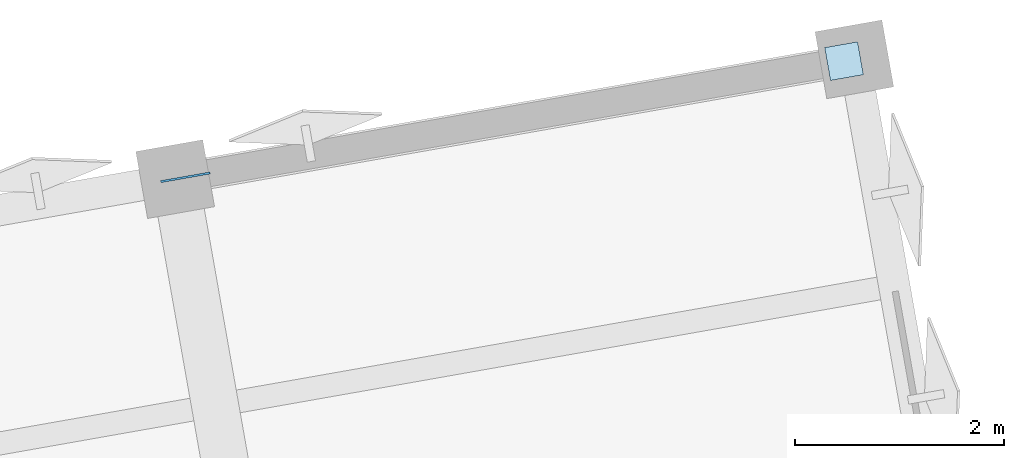
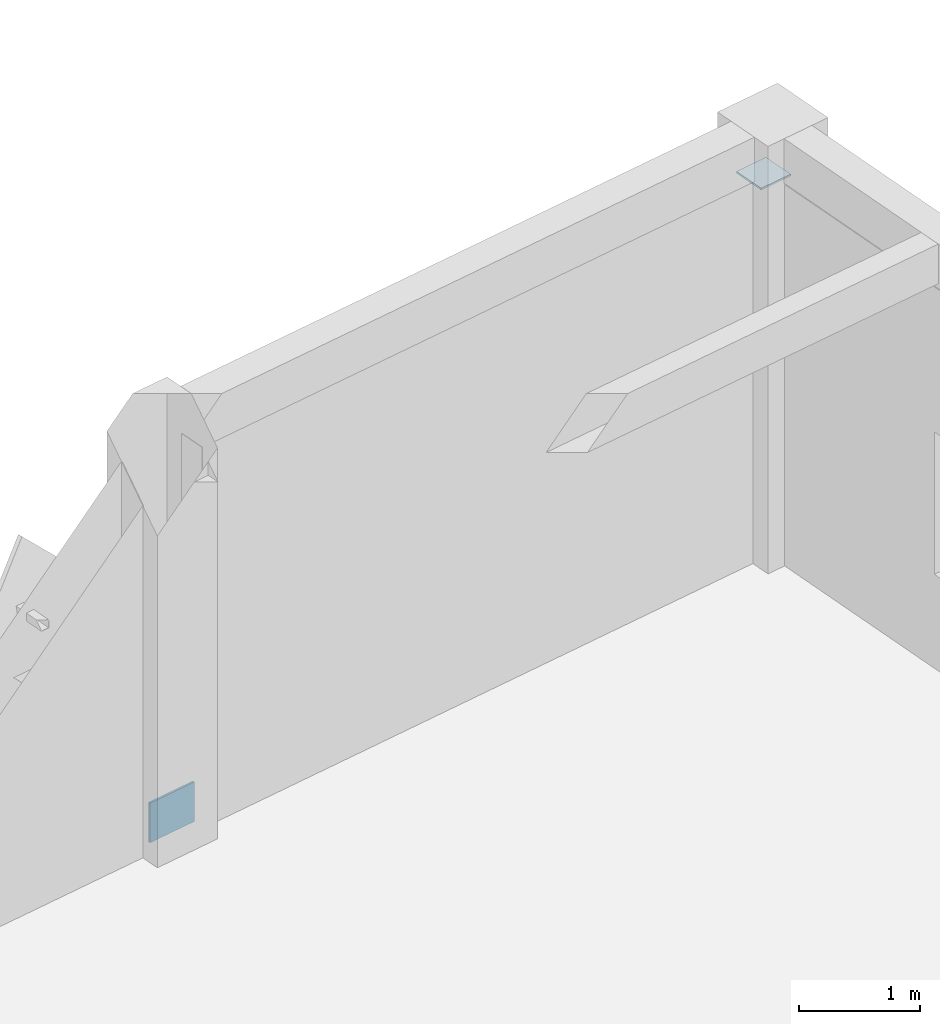
# One storey, part 24 of 39: 2 plates.
"""IFC4 building model written with IfcOpenShell, lengths in metres."""

from ifc_helpers import new_model, si_unit, direction, frame, origin, origin_2d, place, context, subcontext, project, spatial, rectangle, extrude, material, layer, layer_set, type_object, element, save


model = new_model("IFC4")

# Units and contexts
model_context = context("Model", 3, precision=1e-05, world=origin(), true_north=direction((0.0, 1.0)))
body_context = subcontext(model_context, "Body", "Model", "MODEL_VIEW")
ifc_project = project(units=[si_unit("LENGTHUNIT", "METRE"), si_unit("AREAUNIT", "SQUARE_METRE"), si_unit("VOLUMEUNIT", "CUBIC_METRE"), si_unit("PLANEANGLEUNIT", "RADIAN"), si_unit("MASSUNIT", "GRAM", prefix="KILO")], contexts=[model_context])

# Site, building, storey
site_placement = place(None, origin())
site = spatial("IfcSite", under=ifc_project, at=site_placement, CompositionType="ELEMENT")
building_placement = place(site_placement, origin())
building = spatial("IfcBuilding", under=site, at=building_placement, Name="Kharisveld Research Institute", CompositionType="ELEMENT")
storey_placement = place(building_placement, frame((0.0, 0.0, 18.60009765625)))
storey = spatial("IfcBuildingStorey", under=building, at=storey_placement, Name="L04", CompositionType="ELEMENT", Elevation=18.60009765625)

# Plates
ifc_material_1 = material(Name="Steel S355JR", Category="steel")
ifc_layer_1 = layer(ifc_material_1, 0.01806640625)
ifc_layer_set_1 = layer_set([ifc_layer_1], Name="PL_CAP_B")
plate_type_1 = type_object("IfcPlateType", Name="PL_CAP_B", PredefinedType="SHEET", material=ifc_layer_set_1)
plate_1_placement = place(storey_placement, frame((40.66162109375, 61.368408203125, 3.760986328125), z_axis=(0.0, 0.0, 1.0), x_axis=(0.984807753012, 0.173648177667, 0.0)))
element("IfcPlate", 1, at=plate_1_placement, inside=storey, type_object=plate_type_1, Name="PLT:V1:L04:CAP_5_3", PredefinedType="SHEET", context=body_context, shape_type="SweptSolid", body=[
    extrude(rectangle(XDim=0.320068359375, YDim=0.320068359375, at=origin_2d()), origin(), (0.0, 0.0, 1.0), 0.01806640625),
])
ifc_material_2 = material(Name="Steel S355JR", Category="steel")
ifc_layer_2 = layer(ifc_material_2, 0.02001953125)
ifc_layer_set_2 = layer_set([ifc_layer_2], Name="PL_GUS_B")
plate_type_2 = type_object("IfcPlateType", Name="PL_GUS_B", PredefinedType="USERDEFINED", material=ifc_layer_set_2)
plate_2_placement = place(storey_placement, frame((34.35888671875, 60.2568359375, 0.0), z_axis=(0.0, 0.0, 1.0), x_axis=(0.984807753012, 0.173648177667, 0.0)))
element("IfcPlate", 2, at=plate_2_placement, inside=storey, type_object=plate_type_2, Name="PLT:V1:L04:GUS_5_3", ObjectType="GUSSET PLATE", PredefinedType="USERDEFINED", context=body_context, shape_type="SweptSolid", body=[
    extrude(rectangle(XDim=0.47998046875, YDim=0.02001953125, at=origin_2d()), origin(), (0.0, 0.0, 1.0), 0.39990234375),
])

save(model, "model.ifc")
